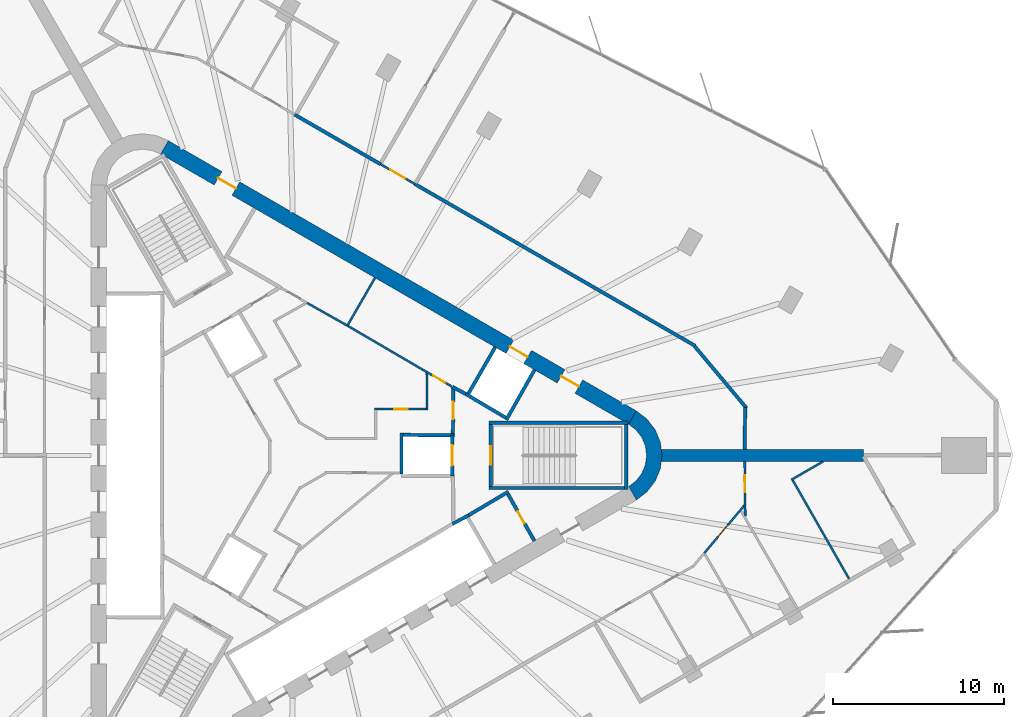
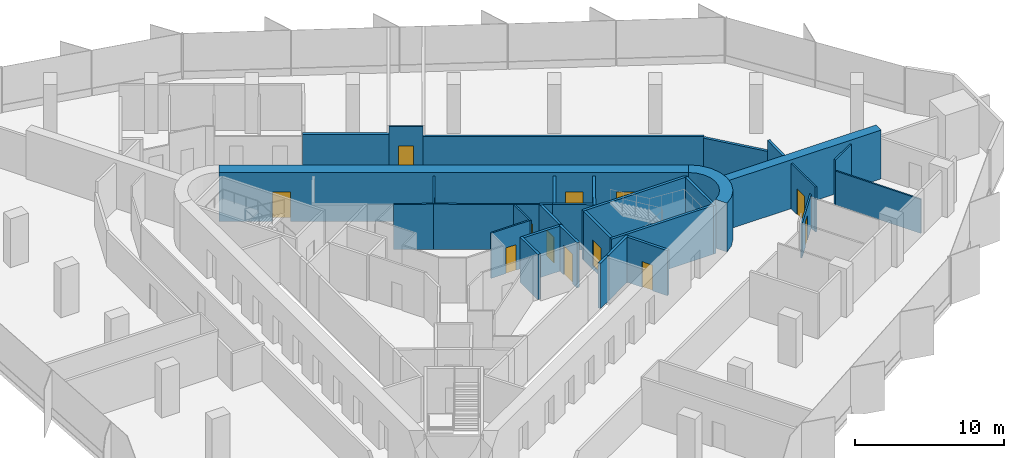
# One storey, part 11 of 14: 33 walls, 12 doors, 12 openings.
"""IFC4 building model written with IfcOpenShell, lengths in metres."""

from ifc_helpers import new_model, si_unit, direction, frame, frame_2d, origin, place, context, subcontext, project, spatial, polyline, rectangle, outline, extrude, material, layer, layer_set, type_object, element, fill, save


model = new_model("IFC4")

# Units and contexts
model_context = context("Model", 3, precision=1e-05, world=origin(), true_north=direction((0.0, 1.0)))
body_context = subcontext(model_context, "Body", "Model", "MODEL_VIEW")
ifc_project = project(units=[si_unit("LENGTHUNIT", "METRE"), si_unit("AREAUNIT", "SQUARE_METRE"), si_unit("VOLUMEUNIT", "CUBIC_METRE"), si_unit("PLANEANGLEUNIT", "RADIAN"), si_unit("MASSUNIT", "GRAM", prefix="KILO")], contexts=[model_context])

# Site, building, storey
site_placement = place(None, origin())
site = spatial("IfcSite", under=ifc_project, at=site_placement, CompositionType="ELEMENT")
building_placement = place(site_placement, origin())
building = spatial("IfcBuilding", under=site, at=building_placement, Name="Tanit Gate Tower", CompositionType="ELEMENT")
storey_placement = place(building_placement, frame((0.0, 0.0, 213.199951171875)))
storey = spatial("IfcBuildingStorey", under=building, at=storey_placement, Name="L47", CompositionType="ELEMENT", Elevation=213.199951171875)

# Wall
ifc_material_1 = material(Name="Concrete C50/60", Category="concrete")
ifc_layer_1 = layer(ifc_material_1, 0.699951171875)
ifc_layer_set_1 = layer_set([ifc_layer_1], Name="BUTTRESS FIN 700 C50/60")
wall_type_1 = type_object("IfcWallType", Name="BUTTRESS FIN 700 C50/60", PredefinedType="SHEAR", material=ifc_layer_set_1)
wall_1_placement = place(storey_placement, frame((21.14990234375, 0.0, 0.0), z_axis=(0.0, 0.0, 1.0), x_axis=(1.0, 0.0, 0.0)))
element("IfcWall", 1, at=wall_1_placement, inside=storey, type_object=wall_type_1, Name="BUTTRESS FIN", PredefinedType="SHEAR", context=body_context, shape_type="SweptSolid", body=[
    extrude(rectangle(XDim=11.7939453125, YDim=0.699951171875, at=frame_2d((5.89697265625, 0.0))), origin(), (0.0, 0.0, 1.0), 4.0),
])

# Wall, openings, doors
ifc_material_2 = material(Name="Concrete C50/60", Category="concrete")
ifc_layer_2 = layer(ifc_material_2, 0.89990234375)
ifc_layer_set_2 = layer_set([ifc_layer_2], Name="CORE WALL 900 C50/60")
wall_type_2 = type_object("IfcWallType", Name="CORE WALL 900 C50/60", PredefinedType="SHEAR", material=ifc_layer_set_2)
wall_2_placement = place(storey_placement, frame((19.47509765625, 2.20849609375, 0.0), z_axis=(0.0, 0.0, 1.0), x_axis=(-0.866028369851, 0.499994862586, 0.0)))
wall_2 = element("IfcWall", 2, at=wall_2_placement, inside=storey, type_object=wall_type_2, Name="CORE WALL", PredefinedType="SHEAR", context=body_context, shape_type="SweptSolid", body=[
    extrude(rectangle(XDim=31.523193359375, YDim=0.89990234375, at=frame_2d((15.76171875, 0.0))), origin(), (0.0, 0.0, 1.0), 4.0),
])
opening_1_placement = place(wall_2_placement, frame((7.0615234375, 0.0, 0.0)))
opening_1 = element("IfcOpeningElement", 3, at=opening_1_placement, cuts=wall_2, Name="Opening LDML8-S12", PredefinedType="OPENING", context=body_context, shape_type="SweptSolid", body=[
    extrude(rectangle(XDim=1.199951171875, YDim=2.39990234375, at=frame_2d((0.60009765625, 1.199951171875))), frame((0.0, 0.4599609375, 0.0), z_axis=(0.0, -1.0, 0.0), x_axis=(1.0, 0.0, 0.0)), (0.0, 0.0, 1.0), 0.919921875),
])
opening_2_placement = place(wall_2_placement, frame((3.611572265625, 0.0, 0.0)))
opening_2 = element("IfcOpeningElement", 4, at=opening_2_placement, cuts=wall_2, Name="Opening F12-S12-FL1", PredefinedType="OPENING", context=body_context, shape_type="SweptSolid", body=[
    extrude(rectangle(XDim=1.199951171875, YDim=2.39990234375, at=frame_2d((0.60009765625, 1.199951171875))), frame((0.0, 0.4599609375, 0.0), z_axis=(0.0, -1.0, 0.0), x_axis=(1.0, 0.0, 0.0)), (0.0, 0.0, 1.0), 0.919921875),
])
opening_3_placement = place(wall_2_placement, frame((26.711669921875, 0.0, 0.0)))
opening_3 = element("IfcOpeningElement", 5, at=opening_3_placement, cuts=wall_2, Name="Opening F12-S12-S2", PredefinedType="OPENING", context=body_context, shape_type="SweptSolid", body=[
    extrude(rectangle(XDim=1.199951171875, YDim=2.39990234375, at=frame_2d((0.60009765625, 1.199951171875))), frame((0.0, 0.4599609375, 0.0), z_axis=(0.0, -1.0, 0.0), x_axis=(1.0, 0.0, 0.0)), (0.0, 0.0, 1.0), 0.919921875),
])
ifc_material_3 = material(Name="Fire-rated steel door leaf", Category="steel")
door_type_1 = type_object("IfcDoorType", Name="INT-DOOR-FIRE-LOBBY-1200", OperationType="NOTDEFINED", PredefinedType="USERDEFINED", material=ifc_material_3)
door_1_placement = place(opening_2_placement, origin())
door_1 = element("IfcDoor", 6, at=door_1_placement, inside=storey, type_object=door_type_1, Name="Door F12-S12-FL1", ObjectType="FIRE DOOR", OperationType="SINGLE_SWING_LEFT", OverallHeight=2.39990234375, OverallWidth=1.199951171875, PredefinedType="USERDEFINED", context=body_context, shape_type="SweptSolid", body=[
    extrude(rectangle(XDim=1.199951171875, YDim=2.39990234375, at=frame_2d((0.60009765625, 1.199951171875))), frame((0.0, 0.02490234375, 0.0), z_axis=(0.0, -1.0, 0.0), x_axis=(1.0, 0.0, 0.0)), (0.0, 0.0, 1.0), 0.050048828125),
])
fill(opening_2, door_1)
door_2_placement = place(opening_3_placement, origin())
door_2 = element("IfcDoor", 7, at=door_2_placement, inside=storey, type_object=door_type_1, Name="Door F12-S12-S2", ObjectType="FIRE DOOR", OperationType="SINGLE_SWING_LEFT", OverallHeight=2.39990234375, OverallWidth=1.199951171875, PredefinedType="USERDEFINED", context=body_context, shape_type="SweptSolid", body=[
    extrude(rectangle(XDim=1.199951171875, YDim=2.39990234375, at=frame_2d((0.60009765625, 1.199951171875))), frame((0.0, 0.02490234375, 0.0), z_axis=(0.0, -1.0, 0.0), x_axis=(1.0, 0.0, 0.0)), (0.0, 0.0, 1.0), 0.050048828125),
])
fill(opening_3, door_2)
ifc_material_4 = material(Name="Stainless steel sliding door leaf", Category="steel")
door_type_2 = type_object("IfcDoorType", Name="INT-DOOR-LANDING-1200", OperationType="NOTDEFINED", PredefinedType="USERDEFINED", material=ifc_material_4)
door_3_placement = place(opening_1_placement, origin())
door_3 = element("IfcDoor", 8, at=door_3_placement, inside=storey, type_object=door_type_2, Name="Door LDML8-S12", ObjectType="LANDING DOOR", OperationType="SLIDING_TO_LEFT", OverallHeight=2.39990234375, OverallWidth=1.199951171875, PredefinedType="USERDEFINED", context=body_context, shape_type="SweptSolid", body=[
    extrude(rectangle(XDim=1.199951171875, YDim=2.39990234375, at=frame_2d((0.60009765625, 1.199951171875))), frame((0.0, 0.02490234375, 0.0), z_axis=(0.0, -1.0, 0.0), x_axis=(1.0, 0.0, 0.0)), (0.0, 0.0, 1.0), 0.050048828125),
])
fill(opening_1, door_3)

# Walls
wall_3_placement = place(storey_placement, origin())
element("IfcWall", 9, at=wall_3_placement, inside=storey, type_object=wall_type_2, Name="CORE WALL CORNER", PredefinedType="SHEAR", context=body_context, shape_type="SweptSolid", body=[
    extrude(outline(polyline([(19.699951171875, -2.59814453125), (20.3212890625, -2.121337890625), (20.798095703125, -1.5), (21.097900390625, -0.776611328125), (21.199951171875, 0.0), (21.097900390625, 0.776611328125), (20.798095703125, 1.5), (20.3212890625, 2.121337890625), (19.699951171875, 2.59814453125), (19.25, 1.818603515625), (19.684814453125, 1.48486328125), (20.018798828125, 1.050048828125), (20.228515625, 0.54345703125), (20.300048828125, 0.0), (20.228515625, -0.54345703125), (20.018798828125, -1.050048828125), (19.684814453125, -1.48486328125), (19.25, -1.818603515625), (19.699951171875, -2.59814453125)])), origin(), (0.0, 0.0, 1.0), 4.0),
])
ifc_material_5 = material(Name="Fire-rated gypsum board partition")
ifc_layer_3 = layer(ifc_material_5, 0.199951171875)
ifc_layer_set_3 = layer_set([ifc_layer_3], Name="INT-WALL-COMPARTMENT")
wall_type_3 = type_object("IfcWallType", Name="INT-WALL-COMPARTMENT", PredefinedType="PARTITIONING", material=ifc_layer_set_3)
wall_4_placement = place(storey_placement, frame((8.97412109375, 3.998779296875, 0.0), z_axis=(0.0, 0.0, 1.0), x_axis=(0.880917147855, -0.473270513147, 0.0)))
element("IfcWall", 10, at=wall_4_placement, inside=storey, type_object=wall_type_3, Name="Wall Compartment W050", PredefinedType="PARTITIONING", context=body_context, shape_type="SweptSolid", body=[
    extrude(rectangle(XDim=0.8779296875, YDim=0.199951171875, at=frame_2d((0.43896484375, 0.0))), origin(), (0.0, 0.0, 1.0), 3.699951171875),
])
wall_5_placement = place(storey_placement, frame((12.244873046875, -2.10888671875, 0.0), z_axis=(0.0, 0.0, 1.0), x_axis=(-0.860414880418, -0.509594185166, 0.0)))
element("IfcWall", 11, at=wall_5_placement, inside=storey, type_object=wall_type_3, Name="Wall Compartment W057", PredefinedType="PARTITIONING", context=body_context, shape_type="SweptSolid", body=[
    extrude(rectangle(XDim=2.7001953125, YDim=0.199951171875, at=frame_2d((1.35009765625, 0.0))), origin(), (0.0, 0.0, 1.0), 3.699951171875),
])

# Wall, opening, door
wall_6_placement = place(storey_placement, frame((13.758056640625, -4.989501953125, 0.0), z_axis=(0.0, 0.0, 1.0), x_axis=(-0.491993409184, 0.87059892334, 0.0)))
wall_6 = element("IfcWall", 12, at=wall_6_placement, inside=storey, type_object=wall_type_3, Name="Wall Compartment W058", PredefinedType="PARTITIONING", context=body_context, shape_type="SweptSolid", body=[
    extrude(rectangle(XDim=3.150146484375, YDim=0.199951171875, at=frame_2d((1.5751953125, 0.0))), origin(), (0.0, 0.0, 1.0), 3.699951171875),
])
opening_4_placement = place(wall_6_placement, frame((1.175048828125, 0.0, 0.0)))
opening_4 = element("IfcOpeningElement", 13, at=opening_4_placement, cuts=wall_6, Name="Opening R08-S12-16", PredefinedType="OPENING", context=body_context, shape_type="SweptSolid", body=[
    extrude(rectangle(XDim=0.800048828125, YDim=2.10009765625, at=frame_2d((0.39990234375, 1.050048828125))), frame((0.0, 0.10986328125, 0.0), z_axis=(0.0, -1.0, 0.0), x_axis=(1.0, 0.0, 0.0)), (0.0, 0.0, 1.0), 0.219970703125),
])
ifc_material_6 = material(Name="Timber door leaf", Category="wood")
door_type_3 = type_object("IfcDoorType", Name="INT-DOOR-RISER-800", OperationType="NOTDEFINED", PredefinedType="USERDEFINED", material=ifc_material_6)
door_4_placement = place(opening_4_placement, origin())
door_4 = element("IfcDoor", 14, at=door_4_placement, inside=storey, type_object=door_type_3, Name="Door R08-S12-16", ObjectType="FIRE DOOR", OperationType="SINGLE_SWING_LEFT", OverallHeight=2.10009765625, OverallWidth=0.800048828125, PredefinedType="USERDEFINED", context=body_context, shape_type="SweptSolid", body=[
    extrude(rectangle(XDim=0.800048828125, YDim=2.10009765625, at=frame_2d((0.39990234375, 1.050048828125))), frame((0.0, 0.02490234375, 0.0), z_axis=(0.0, -1.0, 0.0), x_axis=(1.0, 0.0, 0.0)), (0.0, 0.0, 1.0), 0.050048828125),
])
fill(opening_4, door_4)

wall_7_placement = place(storey_placement, frame((9.0009765625, 1.27001953125, 0.0), z_axis=(0.0, 0.0, 1.0), x_axis=(0.010723968736, 0.999942496594, 0.0)))
wall_7 = element("IfcWall", 15, at=wall_7_placement, inside=storey, type_object=wall_type_3, Name="Wall Compartment W060", PredefinedType="PARTITIONING", context=body_context, shape_type="SweptSolid", body=[
    extrude(rectangle(XDim=2.709228515625, YDim=0.199951171875, at=frame_2d((1.3544921875, 0.0))), origin(), (0.0, 0.0, 1.0), 3.699951171875),
])
opening_5_placement = place(wall_7_placement, frame((0.848388671875, 0.0, 0.0)))
opening_5 = element("IfcOpeningElement", 16, at=opening_5_placement, cuts=wall_7, Name="Opening F10-S12-02", PredefinedType="OPENING", context=body_context, shape_type="SweptSolid", body=[
    extrude(rectangle(XDim=1.0, YDim=2.10009765625, at=frame_2d((0.5, 1.050048828125))), frame((0.0, 0.10986328125, 0.0), z_axis=(0.0, -1.0, 0.0), x_axis=(1.0, 0.0, 0.0)), (0.0, 0.0, 1.0), 0.219970703125),
])
ifc_material_7 = material(Name="Fire-rated steel door leaf", Category="steel")
door_type_4 = type_object("IfcDoorType", Name="INT-DOOR-FIRE-1000", OperationType="NOTDEFINED", PredefinedType="USERDEFINED", material=ifc_material_7)
door_5_placement = place(opening_5_placement, origin())
door_5 = element("IfcDoor", 17, at=door_5_placement, inside=storey, type_object=door_type_4, Name="Door F10-S12-02", ObjectType="FIRE DOOR", OperationType="SINGLE_SWING_RIGHT", OverallHeight=2.10009765625, OverallWidth=1.0, PredefinedType="USERDEFINED", context=body_context, shape_type="SweptSolid", body=[
    extrude(rectangle(XDim=1.0, YDim=2.10009765625, at=frame_2d((0.5, 1.050048828125))), frame((0.0, 0.02490234375, 0.0), z_axis=(0.0, -1.0, 0.0), x_axis=(1.0, 0.0, 0.0)), (0.0, 0.0, 1.0), 0.050048828125),
])
fill(opening_5, door_5)

# Walls
wall_8_placement = place(storey_placement, frame((23.118896484375, 6.397705078125, 0.0), z_axis=(0.0, 0.0, 1.0), x_axis=(-0.866027034507, 0.499997175495, 0.0)))
element("IfcWall", 18, at=wall_8_placement, inside=storey, type_object=wall_type_3, Name="Wall Compartment W099", PredefinedType="PARTITIONING", context=body_context, shape_type="SweptSolid", body=[
    extrude(rectangle(XDim=18.87255859375, YDim=0.199951171875, at=frame_2d((9.436279296875, 0.0))), origin(), (0.0, 0.0, 1.0), 2.880126953125),
])
wall_9_placement = place(storey_placement, frame((4.78271484375, 16.984130859375, 0.0), z_axis=(0.0, 0.0, 1.0), x_axis=(-0.866032949645, 0.499986929959, 0.0)))
element("IfcWall", 19, at=wall_9_placement, inside=storey, type_object=wall_type_3, Name="Wall Compartment W103", PredefinedType="PARTITIONING", context=body_context, shape_type="SweptSolid", body=[
    extrude(rectangle(XDim=5.780029296875, YDim=0.199951171875, at=frame_2d((2.89013671875, 0.0))), origin(), (0.0, 0.0, 1.0), 3.070068359375),
])
wall_10_placement = place(storey_placement, frame((26.12109375, 2.766357421875, 0.0), z_axis=(0.0, 0.0, 1.0), x_axis=(-0.642778291452, 0.766052261949, 0.0)))
element("IfcWall", 20, at=wall_10_placement, inside=storey, type_object=wall_type_3, Name="Wall Compartment W100", PredefinedType="PARTITIONING", context=body_context, shape_type="SweptSolid", body=[
    extrude(rectangle(XDim=4.70556640625, YDim=0.199951171875, at=frame_2d((2.352783203125, 0.0))), origin(), (0.0, 0.0, 1.0), 2.780029296875),
])
wall_11_placement = place(storey_placement, frame((26.019775390625, 0.35009765625, 0.0), z_axis=(0.0, 0.0, 1.0), x_axis=(0.010532007244, 0.999944536874, 0.0)))
element("IfcWall", 21, at=wall_11_placement, inside=storey, type_object=wall_type_3, Name="Wall Compartment W101", PredefinedType="PARTITIONING", context=body_context, shape_type="SweptSolid", body=[
    extrude(rectangle(XDim=2.457275390625, YDim=0.199951171875, at=frame_2d((1.228515625, 0.0))), origin(), (0.0, 0.0, 1.0), 3.699951171875),
])
ifc_material_8 = material(Name="Gypsum board partition")
ifc_layer_4 = layer(ifc_material_8, 0.1201171875)
ifc_layer_set_4 = layer_set([ifc_layer_4], Name="INT-WALL-PARTITION")
wall_type_4 = type_object("IfcWallType", Name="INT-WALL-PARTITION", PredefinedType="PARTITIONING", material=ifc_layer_set_4)
wall_12_placement = place(storey_placement, frame((4.456787109375, 10.359375, 0.0), z_axis=(0.0, 0.0, 1.0), x_axis=(-0.500017246033, -0.866015446554, 0.0)))
element("IfcWall", 22, at=wall_12_placement, inside=storey, type_object=wall_type_4, Name="Wall Partition W049", PredefinedType="PARTITIONING", context=body_context, shape_type="SweptSolid", body=[
    extrude(rectangle(XDim=3.25, YDim=0.1201171875, at=frame_2d((1.625, 0.0))), origin(), (0.0, 0.0, 1.0), 3.699951171875),
])
wall_13_placement = place(storey_placement, frame((7.456787109375, 4.875244140625, 0.0), z_axis=(0.0, 0.0, 1.0), x_axis=(-0.863262357411, 0.504755487615, 0.0)))
element("IfcWall", 23, at=wall_13_placement, inside=storey, type_object=wall_type_4, Name="Wall Partition W051", PredefinedType="PARTITIONING", context=body_context, shape_type="SweptSolid", body=[
    extrude(rectangle(XDim=5.370361328125, YDim=0.1201171875, at=frame_2d((2.68505859375, 0.0))), origin(), (0.0, 0.0, 1.0), 3.699951171875),
])

# Wall, opening, door
wall_14_placement = place(storey_placement, frame((7.45654296875, 4.874755859375, 0.0), z_axis=(0.0, 0.0, 1.0), x_axis=(0.866027945518, -0.499995597562, 0.0)))
wall_14 = element("IfcWall", 24, at=wall_14_placement, inside=storey, type_object=wall_type_4, Name="Wall Partition W052", PredefinedType="PARTITIONING", context=body_context, shape_type="SweptSolid", body=[
    extrude(rectangle(XDim=1.7021484375, YDim=0.1201171875, at=frame_2d((0.85107421875, 0.0))), origin(), (0.0, 0.0, 1.0), 3.699951171875),
])
opening_6_placement = place(wall_14_placement, frame((0.461181640625, 0.0, 0.0)))
opening_6 = element("IfcOpeningElement", 25, at=opening_6_placement, cuts=wall_14, Name="Opening R08-S12-14", PredefinedType="OPENING", context=body_context, shape_type="SweptSolid", body=[
    extrude(rectangle(XDim=0.800048828125, YDim=2.10009765625, at=frame_2d((0.39990234375, 1.050048828125))), frame((0.0, 0.070068359375, 0.0), z_axis=(0.0, -1.0, 0.0), x_axis=(1.0, 0.0, 0.0)), (0.0, 0.0, 1.0), 0.14013671875),
])
door_6_placement = place(opening_6_placement, origin())
door_6 = element("IfcDoor", 26, at=door_6_placement, inside=storey, type_object=door_type_3, Name="Door R08-S12-14", ObjectType="FIRE DOOR", OperationType="SINGLE_SWING_RIGHT", OverallHeight=2.10009765625, OverallWidth=0.800048828125, PredefinedType="USERDEFINED", context=body_context, shape_type="SweptSolid", body=[
    extrude(rectangle(XDim=0.800048828125, YDim=2.10009765625, at=frame_2d((0.39990234375, 1.050048828125))), frame((0.0, 0.02490234375, 0.0), z_axis=(0.0, -1.0, 0.0), x_axis=(1.0, 0.0, 0.0)), (0.0, 0.0, 1.0), 0.050048828125),
])
fill(opening_6, door_6)

# Walls
wall_15_placement = place(storey_placement, frame((2.82080078125, 7.5859375, 0.0), z_axis=(0.0, 0.0, 1.0), x_axis=(-0.871426548871, 0.490526013503, 0.0)))
element("IfcWall", 27, at=wall_15_placement, inside=storey, type_object=wall_type_4, Name="Wall Partition W055", PredefinedType="PARTITIONING", context=body_context, shape_type="SweptSolid", body=[
    extrude(rectangle(XDim=2.670166015625, YDim=0.1201171875, at=frame_2d((1.3349609375, 0.0))), origin(), (0.0, 0.0, 1.0), 3.699951171875),
])
wall_16_placement = place(storey_placement, frame((7.500732421875, 2.639892578125, 0.0), z_axis=(0.0, 0.0, 1.0), x_axis=(-0.01178388431, 0.999930567625, 0.0)))
element("IfcWall", 28, at=wall_16_placement, inside=storey, type_object=wall_type_4, Name="Wall Partition W077", PredefinedType="PARTITIONING", context=body_context, shape_type="SweptSolid", body=[
    extrude(rectangle(XDim=2.15478515625, YDim=0.1201171875, at=frame_2d((1.077392578125, 0.0))), origin(), (0.0, 0.0, 1.0), 3.699951171875),
])

# Wall, opening, door
wall_17_placement = place(storey_placement, frame((4.43994140625, 2.699951171875, 0.0), z_axis=(0.0, 0.0, 1.0), x_axis=(1.0, 0.0, 0.0)))
wall_17 = element("IfcWall", 29, at=wall_17_placement, inside=storey, type_object=wall_type_4, Name="Wall Partition W078", PredefinedType="PARTITIONING", context=body_context, shape_type="SweptSolid", body=[
    extrude(rectangle(XDim=3.0, YDim=0.1201171875, at=frame_2d((1.5, 0.0))), origin(), (0.0, 0.0, 1.0), 3.699951171875),
])
opening_7_placement = place(wall_17_placement, frame((1.1298828125, 0.0, 0.0)))
opening_7 = element("IfcOpeningElement", 30, at=opening_7_placement, cuts=wall_17, Name="Opening R08-S12-13", PredefinedType="OPENING", context=body_context, shape_type="SweptSolid", body=[
    extrude(rectangle(XDim=0.800048828125, YDim=2.10009765625, at=frame_2d((0.39990234375, 1.050048828125))), frame((0.0, 0.070068359375, 0.0), z_axis=(0.0, -1.0, 0.0), x_axis=(1.0, 0.0, 0.0)), (0.0, 0.0, 1.0), 0.14013671875),
])
door_7_placement = place(opening_7_placement, origin())
door_7 = element("IfcDoor", 31, at=door_7_placement, inside=storey, type_object=door_type_3, Name="Door R08-S12-13", ObjectType="FIRE DOOR", OperationType="SINGLE_SWING_LEFT", OverallHeight=2.10009765625, OverallWidth=0.800048828125, PredefinedType="USERDEFINED", context=body_context, shape_type="SweptSolid", body=[
    extrude(rectangle(XDim=0.800048828125, YDim=2.10009765625, at=frame_2d((0.39990234375, 1.050048828125))), frame((0.0, 0.02490234375, 0.0), z_axis=(0.0, -1.0, 0.0), x_axis=(1.0, 0.0, 0.0)), (0.0, 0.0, 1.0), 0.050048828125),
])
fill(opening_7, door_7)

wall_18_placement = place(storey_placement, frame((4.78271484375, 16.984130859375, 0.0), z_axis=(0.0, 0.0, 1.0), x_axis=(0.866007057882, -0.500031774688, 0.0)))
wall_18 = element("IfcWall", 32, at=wall_18_placement, inside=storey, type_object=wall_type_4, Name="Wall Partition W098", PredefinedType="PARTITIONING", context=body_context, shape_type="SweptSolid", body=[
    extrude(rectangle(XDim=2.300048828125, YDim=0.1201171875, at=frame_2d((1.14990234375, 0.0))), origin(), (0.0, 0.0, 1.0), 3.699951171875),
])
opening_8_placement = place(wall_18_placement, frame((0.64990234375, 0.0, 0.0)))
opening_8 = element("IfcOpeningElement", 33, at=opening_8_placement, cuts=wall_18, Name="Opening D10-S12-19", PredefinedType="OPENING", context=body_context, shape_type="SweptSolid", body=[
    extrude(rectangle(XDim=1.0, YDim=2.10009765625, at=frame_2d((0.5, 1.050048828125))), frame((0.0, 0.070068359375, 0.0), z_axis=(0.0, -1.0, 0.0), x_axis=(1.0, 0.0, 0.0)), (0.0, 0.0, 1.0), 0.14013671875),
])
ifc_material_9 = material(Name="Timber door leaf", Category="wood")
door_type_5 = type_object("IfcDoorType", Name="INT-DOOR-SINGLE-1000", OperationType="NOTDEFINED", PredefinedType="NOTDEFINED", material=ifc_material_9)
door_8_placement = place(opening_8_placement, origin())
door_8 = element("IfcDoor", 34, at=door_8_placement, inside=storey, type_object=door_type_5, Name="Door D10-S12-19", OperationType="SINGLE_SWING_RIGHT", OverallHeight=2.10009765625, OverallWidth=1.0, PredefinedType="NOTDEFINED", context=body_context, shape_type="SweptSolid", body=[
    extrude(rectangle(XDim=1.0, YDim=2.10009765625, at=frame_2d((0.5, 1.050048828125))), frame((0.0, 0.02490234375, 0.0), z_axis=(0.0, -1.0, 0.0), x_axis=(1.0, 0.0, 0.0)), (0.0, 0.0, 1.0), 0.050048828125),
])
fill(opening_8, door_8)

wall_19_placement = place(storey_placement, frame((23.66845703125, -5.689453125, 0.0), z_axis=(0.0, 0.0, 1.0), x_axis=(0.642770978045, 0.766058398416, 0.0)))
wall_19 = element("IfcWall", 35, at=wall_19_placement, inside=storey, type_object=wall_type_4, Name="Wall Partition W117", PredefinedType="PARTITIONING", context=body_context, shape_type="SweptSolid", body=[
    extrude(rectangle(XDim=3.69921875, YDim=0.1201171875, at=frame_2d((1.849609375, 0.0))), origin(), (0.0, 0.0, 1.0), 2.780029296875),
])
opening_9_placement = place(wall_19_placement, frame((1.219970703125, 0.0, 0.0)))
opening_9 = element("IfcOpeningElement", 36, at=opening_9_placement, cuts=wall_19, Name="Opening D09-S12-27", PredefinedType="OPENING", context=body_context, shape_type="SweptSolid", body=[
    extrude(rectangle(XDim=0.89990234375, YDim=2.10009765625, at=frame_2d((0.449951171875, 1.050048828125))), frame((0.0, 0.070068359375, 0.0), z_axis=(0.0, -1.0, 0.0), x_axis=(1.0, 0.0, 0.0)), (0.0, 0.0, 1.0), 0.14013671875),
])
ifc_material_10 = material(Name="Timber door leaf", Category="wood")
door_type_6 = type_object("IfcDoorType", Name="INT-DOOR-SINGLE-900", OperationType="NOTDEFINED", PredefinedType="NOTDEFINED", material=ifc_material_10)
door_9_placement = place(opening_9_placement, origin())
door_9 = element("IfcDoor", 37, at=door_9_placement, inside=storey, type_object=door_type_6, Name="Door D09-S12-27", OperationType="SINGLE_SWING_LEFT", OverallHeight=2.10009765625, OverallWidth=0.89990234375, PredefinedType="NOTDEFINED", context=body_context, shape_type="SweptSolid", body=[
    extrude(rectangle(XDim=0.89990234375, YDim=2.10009765625, at=frame_2d((0.449951171875, 1.050048828125))), frame((0.0, 0.02490234375, 0.0), z_axis=(0.0, -1.0, 0.0), x_axis=(1.0, 0.0, 0.0)), (0.0, 0.0, 1.0), 0.050048828125),
])
fill(opening_9, door_9)

wall_20_placement = place(storey_placement, frame((26.053466796875, -3.53955078125, 0.0), z_axis=(0.0, 0.0, 1.0), x_axis=(-0.010562790974, 0.999944212167, 0.0)))
wall_20 = element("IfcWall", 38, at=wall_20_placement, inside=storey, type_object=wall_type_4, Name="Wall Partition W118", PredefinedType="PARTITIONING", context=body_context, shape_type="SweptSolid", body=[
    extrude(rectangle(XDim=3.189697265625, YDim=0.1201171875, at=frame_2d((1.5947265625, 0.0))), origin(), (0.0, 0.0, 1.0), 3.699951171875),
])
opening_10_placement = place(wall_20_placement, frame((1.38671875, 0.0, 0.0)))
opening_10 = element("IfcOpeningElement", 39, at=opening_10_placement, cuts=wall_20, Name="Opening D10-S12-28", PredefinedType="OPENING", context=body_context, shape_type="SweptSolid", body=[
    extrude(rectangle(XDim=1.0, YDim=2.10009765625, at=frame_2d((0.5, 1.050048828125))), frame((0.0, 0.070068359375, 0.0), z_axis=(0.0, -1.0, 0.0), x_axis=(1.0, 0.0, 0.0)), (0.0, 0.0, 1.0), 0.14013671875),
])
door_10_placement = place(opening_10_placement, origin())
door_10 = element("IfcDoor", 40, at=door_10_placement, inside=storey, type_object=door_type_5, Name="Door D10-S12-28", OperationType="SINGLE_SWING_RIGHT", OverallHeight=2.10009765625, OverallWidth=1.0, PredefinedType="NOTDEFINED", context=body_context, shape_type="SweptSolid", body=[
    extrude(rectangle(XDim=1.0, YDim=2.10009765625, at=frame_2d((0.5, 1.050048828125))), frame((0.0, 0.02490234375, 0.0), z_axis=(0.0, -1.0, 0.0), x_axis=(1.0, 0.0, 0.0)), (0.0, 0.0, 1.0), 0.050048828125),
])
fill(opening_10, door_10)

# Walls
wall_21_placement = place(storey_placement, frame((30.59375, -0.35009765625, 0.0), z_axis=(0.0, 0.0, 1.0), x_axis=(-0.86604708139, -0.499962451406, 0.0)))
element("IfcWall", 41, at=wall_21_placement, inside=storey, type_object=wall_type_4, Name="Wall Partition W151", PredefinedType="PARTITIONING", context=body_context, shape_type="SweptSolid", body=[
    extrude(rectangle(XDim=2.142822265625, YDim=0.1201171875, at=frame_2d((1.0712890625, 0.0))), origin(), (0.0, 0.0, 1.0), 3.699951171875),
])
wall_22_placement = place(storey_placement, frame((32.1044921875, -7.191162109375, 0.0), z_axis=(0.0, 0.0, 1.0), x_axis=(-0.496162767327, 0.868229525136, 0.0)))
element("IfcWall", 42, at=wall_22_placement, inside=storey, type_object=wall_type_4, Name="Wall Partition W152", PredefinedType="PARTITIONING", context=body_context, shape_type="SweptSolid", body=[
    extrude(rectangle(XDim=6.6201171875, YDim=0.1201171875, at=frame_2d((3.31005859375, 0.0))), origin(), (0.0, 0.0, 1.0), 2.780029296875),
])
ifc_material_11 = material(Name="Gypsum shaft wall system")
ifc_layer_5 = layer(ifc_material_11, 0.199951171875)
ifc_layer_set_5 = layer_set([ifc_layer_5], Name="INT-WALL-SHAFT")
wall_type_5 = type_object("IfcWallType", Name="INT-WALL-SHAFT", PredefinedType="PLUMBINGWALL", material=ifc_layer_set_5)
wall_23_placement = place(storey_placement, frame((9.8466796875, 3.494873046875, 0.0), z_axis=(0.0, 0.0, 1.0), x_axis=(0.499984717929, 0.866034226713, 0.0)))
element("IfcWall", 43, at=wall_23_placement, inside=storey, type_object=wall_type_5, Name="Wall Shaft W012", PredefinedType="PLUMBINGWALL", context=body_context, shape_type="SweptSolid", body=[
    extrude(rectangle(XDim=3.25, YDim=0.199951171875, at=frame_2d((1.625, 0.0))), origin(), (0.0, 0.0, 1.0), 3.699951171875),
])
wall_24_placement = place(storey_placement, frame((12.10986328125, 2.07275390625, 0.0), z_axis=(0.0, 0.0, 1.0), x_axis=(0.49196600604, 0.870614408852, 0.0)))
element("IfcWall", 44, at=wall_24_placement, inside=storey, type_object=wall_type_5, Name="Wall Shaft W013", PredefinedType="PLUMBINGWALL", context=body_context, shape_type="SweptSolid", body=[
    extrude(rectangle(XDim=3.35009765625, YDim=0.199951171875, at=frame_2d((1.675048828125, 0.0))), origin(), (0.0, 0.0, 1.0), 3.699951171875),
])
wall_25_placement = place(storey_placement, frame((12.072998046875, 2.2109375, 0.0), z_axis=(0.0, 0.0, 1.0), x_axis=(-0.860414880418, 0.509594185166, 0.0)))
element("IfcWall", 45, at=wall_25_placement, inside=storey, type_object=wall_type_5, Name="Wall Shaft W014", PredefinedType="PLUMBINGWALL", context=body_context, shape_type="SweptSolid", body=[
    extrude(rectangle(XDim=2.7001953125, YDim=0.199951171875, at=frame_2d((1.35009765625, 0.0))), origin(), (0.0, 0.0, 1.0), 3.699951171875),
])
wall_26_placement = place(storey_placement, frame((8.97412109375, -3.998779296875, 0.0), z_axis=(0.0, 0.0, 1.0), x_axis=(0.880907015104, 0.473289373154, 0.0)))
element("IfcWall", 46, at=wall_26_placement, inside=storey, type_object=wall_type_5, Name="Wall Shaft W017", PredefinedType="PLUMBINGWALL", context=body_context, shape_type="SweptSolid", body=[
    extrude(rectangle(XDim=1.078125, YDim=0.199951171875, at=frame_2d((0.5390625, 0.0))), origin(), (0.0, 0.0, 1.0), 3.699951171875),
])

# Wall, opening, door
wall_27_placement = place(storey_placement, frame((8.969970703125, 1.199951171875, 0.0), z_axis=(0.0, 0.0, 1.0), x_axis=(0.0, -1.0, 0.0)))
wall_27 = element("IfcWall", 47, at=wall_27_placement, inside=storey, type_object=wall_type_5, Name="Wall Shaft W029", PredefinedType="PLUMBINGWALL", context=body_context, shape_type="SweptSolid", body=[
    extrude(rectangle(XDim=2.39990234375, YDim=0.199951171875, at=frame_2d((1.199951171875, 0.0))), origin(), (0.0, 0.0, 1.0), 3.699951171875),
])
opening_11_placement = place(wall_27_placement, frame((0.60009765625, 0.0, 0.0)))
opening_11 = element("IfcOpeningElement", 48, at=opening_11_placement, cuts=wall_27, Name="Opening LDFL1-L47", PredefinedType="OPENING", context=body_context, shape_type="SweptSolid", body=[
    extrude(rectangle(XDim=1.199951171875, YDim=2.39990234375, at=frame_2d((0.60009765625, 1.199951171875))), frame((0.0, 0.10986328125, 0.0), z_axis=(0.0, -1.0, 0.0), x_axis=(1.0, 0.0, 0.0)), (0.0, 0.0, 1.0), 0.219970703125),
])
door_11_placement = place(opening_11_placement, origin())
door_11 = element("IfcDoor", 49, at=door_11_placement, inside=storey, type_object=door_type_2, Name="Door LDFL1-L47", ObjectType="LANDING DOOR", OperationType="SLIDING_TO_LEFT", OverallHeight=2.39990234375, OverallWidth=1.199951171875, PredefinedType="USERDEFINED", context=body_context, shape_type="SweptSolid", body=[
    extrude(rectangle(XDim=1.199951171875, YDim=2.39990234375, at=frame_2d((0.60009765625, 1.199951171875))), frame((0.0, 0.02490234375, 0.0), z_axis=(0.0, -1.0, 0.0), x_axis=(1.0, 0.0, 0.0)), (0.0, 0.0, 1.0), 0.050048828125),
])
fill(opening_11, door_11)

# Walls
wall_28_placement = place(storey_placement, frame((6.0, -1.089599609375, 0.0), z_axis=(0.0, 0.0, 1.0), x_axis=(0.0, 1.0, 0.0)))
element("IfcWall", 50, at=wall_28_placement, inside=storey, type_object=wall_type_5, Name="Wall Shaft W031", PredefinedType="PLUMBINGWALL", context=body_context, shape_type="SweptSolid", body=[
    extrude(rectangle(XDim=2.3896484375, YDim=0.199951171875, at=frame_2d((1.19482421875, 0.0))), origin(), (0.0, 0.0, 1.0), 3.699951171875),
])
wall_29_placement = place(storey_placement, frame((9.10009765625, 1.1689453125, 0.0), z_axis=(0.0, 0.0, 1.0), x_axis=(-0.99994990606, 0.010009264196, 0.0)))
element("IfcWall", 51, at=wall_29_placement, inside=storey, type_object=wall_type_5, Name="Wall Shaft W032", PredefinedType="PLUMBINGWALL", context=body_context, shape_type="SweptSolid", body=[
    extrude(rectangle(XDim=3.000244140625, YDim=0.199951171875, at=frame_2d((1.5, 0.0))), origin(), (0.0, 0.0, 1.0), 3.699951171875),
])
ifc_material_12 = material(Name="Concrete C40/50", Category="concrete")
ifc_layer_6 = layer(ifc_material_12, 0.199951171875)
ifc_layer_set_6 = layer_set([ifc_layer_6], Name="INT-WALL-STAIR")
wall_type_6 = type_object("IfcWallType", Name="INT-WALL-STAIR", PredefinedType="SHEAR", material=ifc_layer_set_6)
wall_30_placement = place(storey_placement, frame((19.199951171875, 1.89990234375, -0.300048828125), z_axis=(0.0, 0.0, 1.0), x_axis=(-1.0, 0.0, 0.0)))
element("IfcWall", 52, at=wall_30_placement, inside=storey, type_object=wall_type_6, Name="Wall Stair W025", PredefinedType="SHEAR", context=body_context, shape_type="SweptSolid", body=[
    extrude(rectangle(XDim=8.099853515625, YDim=0.199951171875, at=frame_2d((4.0498046875, 0.0))), origin(), (0.0, 0.0, 1.0), 4.0),
])
wall_31_placement = place(storey_placement, frame((19.10009765625, -2.0, -0.300048828125), z_axis=(0.0, 0.0, 1.0), x_axis=(0.0, 1.0, 0.0)))
element("IfcWall", 53, at=wall_31_placement, inside=storey, type_object=wall_type_6, Name="Wall Stair W026", PredefinedType="SHEAR", context=body_context, shape_type="SweptSolid", body=[
    extrude(rectangle(XDim=3.800048828125, YDim=0.199951171875, at=frame_2d((1.89990234375, 0.0))), origin(), (0.0, 0.0, 1.0), 4.0),
])
wall_32_placement = place(storey_placement, frame((11.10009765625, -1.89990234375, -0.300048828125), z_axis=(0.0, 0.0, 1.0), x_axis=(1.0, 0.0, 0.0)))
element("IfcWall", 54, at=wall_32_placement, inside=storey, type_object=wall_type_6, Name="Wall Stair W027", PredefinedType="SHEAR", context=body_context, shape_type="SweptSolid", body=[
    extrude(rectangle(XDim=7.89990234375, YDim=0.199951171875, at=frame_2d((3.949951171875, 0.0))), origin(), (0.0, 0.0, 1.0), 4.0),
])

# Wall, opening, door
wall_33_placement = place(storey_placement, frame((11.199951171875, -1.800048828125, -0.300048828125), z_axis=(0.0, 0.0, 1.0), x_axis=(0.0, 1.0, 0.0)))
wall_33 = element("IfcWall", 55, at=wall_33_placement, inside=storey, type_object=wall_type_6, Name="Wall Stair W028", PredefinedType="SHEAR", context=body_context, shape_type="SweptSolid", body=[
    extrude(rectangle(XDim=3.60009765625, YDim=0.199951171875, at=frame_2d((1.800048828125, 0.0))), origin(), (0.0, 0.0, 1.0), 4.0),
])
opening_12_placement = place(wall_33_placement, frame((1.25, 0.0, 0.300048828125)))
opening_12 = element("IfcOpeningElement", 56, at=opening_12_placement, cuts=wall_33, Name="Opening S11-S12-01", PredefinedType="OPENING", context=body_context, shape_type="SweptSolid", body=[
    extrude(rectangle(XDim=1.10009765625, YDim=2.10009765625, at=frame_2d((0.550048828125, 1.050048828125))), frame((0.0, 0.10986328125, 0.0), z_axis=(0.0, -1.0, 0.0), x_axis=(1.0, 0.0, 0.0)), (0.0, 0.0, 1.0), 0.219970703125),
])
ifc_material_13 = material(Name="Timber door leaf", Category="wood")
door_type_7 = type_object("IfcDoorType", Name="INT-DOOR-STAIR-1100", OperationType="NOTDEFINED", PredefinedType="USERDEFINED", material=ifc_material_13)
door_12_placement = place(opening_12_placement, origin())
door_12 = element("IfcDoor", 57, at=door_12_placement, inside=storey, type_object=door_type_7, Name="Door S11-S12-01", ObjectType="FIRE DOOR", OperationType="SINGLE_SWING_RIGHT", OverallHeight=2.10009765625, OverallWidth=1.10009765625, PredefinedType="USERDEFINED", context=body_context, shape_type="SweptSolid", body=[
    extrude(rectangle(XDim=1.10009765625, YDim=2.10009765625, at=frame_2d((0.550048828125, 1.050048828125))), frame((0.0, 0.02490234375, 0.0), z_axis=(0.0, -1.0, 0.0), x_axis=(1.0, 0.0, 0.0)), (0.0, 0.0, 1.0), 0.050048828125),
])
fill(opening_12, door_12)

save(model, "model.ifc")
